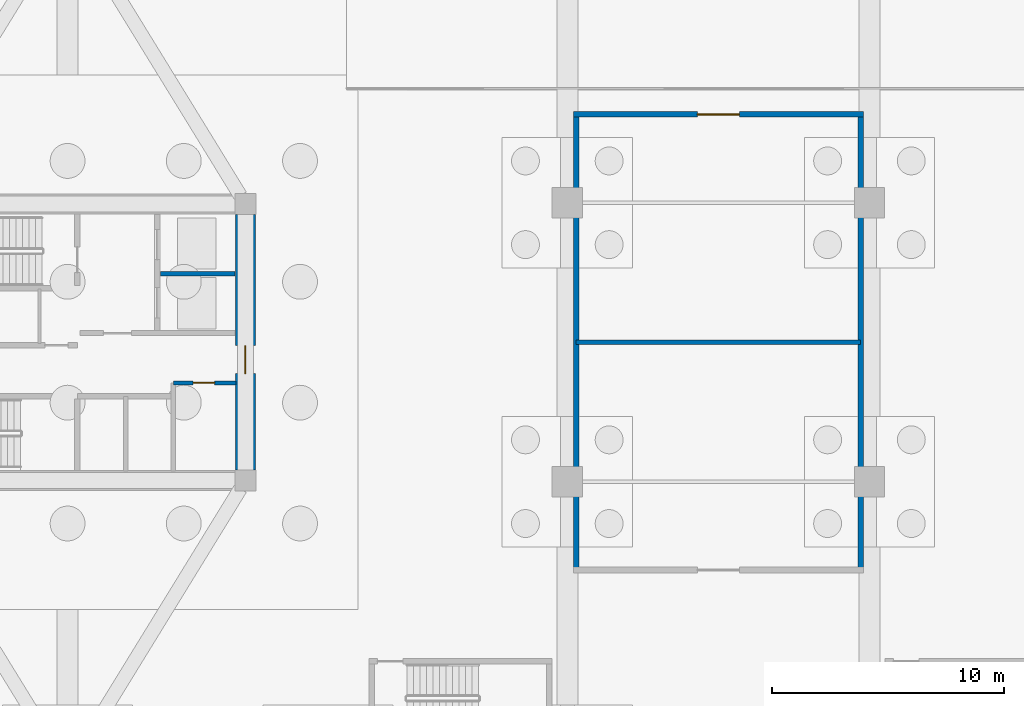
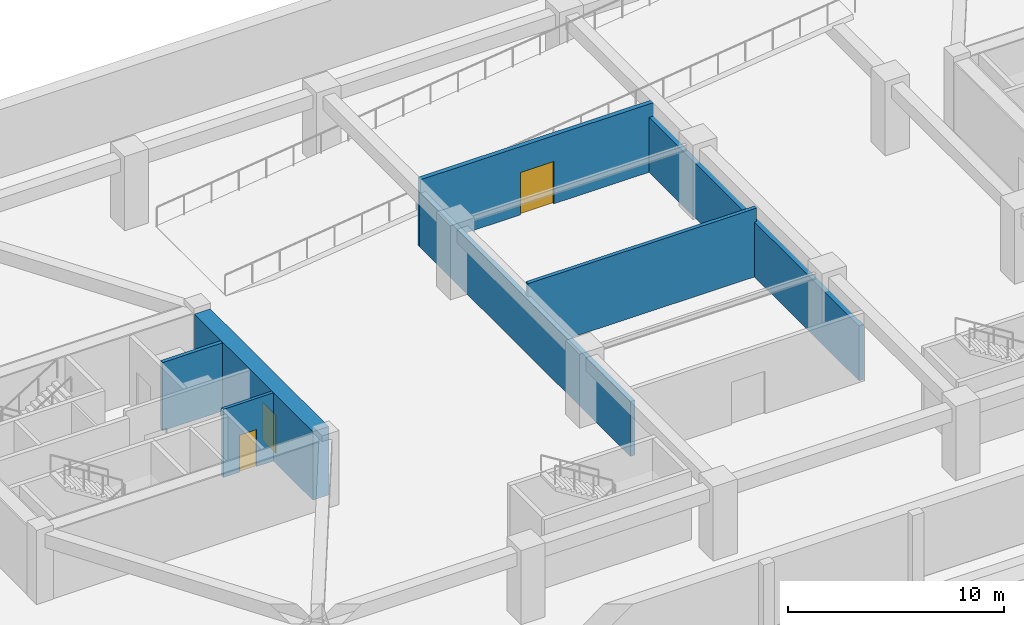
# One storey, part 6 of 14: 7 walls, 3 doors, 3 openings.
"""IFC4 building model written with IfcOpenShell, lengths in metres."""

from ifc_helpers import new_model, si_unit, direction, frame, frame_2d, origin, place, context, subcontext, project, spatial, rectangle, extrude, source, transform, mapped, material, layer, layer_set, type_object, type_shapes, element, fill, save


model = new_model("IFC4")

# Units and contexts
model_context = context("Model", 3, precision=1e-05, world=origin(), true_north=direction((0.0, 1.0)))
body_context = subcontext(model_context, "Body", "Model", "MODEL_VIEW")
ifc_project = project(units=[si_unit("LENGTHUNIT", "METRE"), si_unit("AREAUNIT", "SQUARE_METRE"), si_unit("VOLUMEUNIT", "CUBIC_METRE"), si_unit("PLANEANGLEUNIT", "RADIAN"), si_unit("MASSUNIT", "GRAM", prefix="KILO")], contexts=[model_context])

# Site, building, storey
site_placement = place(None, origin())
site = spatial("IfcSite", under=ifc_project, at=site_placement, CompositionType="ELEMENT")
building_placement = place(site_placement, origin())
building = spatial("IfcBuilding", under=site, at=building_placement, Name="Norrkilde Senior Care Towers", CompositionType="ELEMENT")
storey_placement = place(building_placement, frame((0.0, 0.0, -8.39990234375)))
storey = spatial("IfcBuildingStorey", under=building, at=storey_placement, Name="B2", CompositionType="ELEMENT", Elevation=-8.39990234375)

# Wall, opening, door
ifc_material_1 = material(Name="Concrete C60/75", Category="concrete")
ifc_layer_1 = layer(ifc_material_1, 0.85009765625)
ifc_layer_set_1 = layer_set([ifc_layer_1], Name="Concrete C60/75")
wall_type_1 = type_object("IfcWallType", Name="Core Shear Wall Z1 850", PredefinedType="SHEAR", material=ifc_layer_set_1)
shared_shape_1 = source(origin(), body_context, "Body", "SweptSolid", [
    extrude(rectangle(XDim=11.0, YDim=0.85009765625, at=frame_2d((5.5, 0.0))), origin(), (0.0, 0.0, 1.0), 3.8798828125),
])
type_shapes(wall_type_1, [shared_shape_1])
wall_1_placement = place(storey_placement, frame((-20.35009765625, 5.5, 0.0), z_axis=(0.0, 0.0, 1.0), x_axis=(0.0, -1.0, 0.0)))
wall_1 = element("IfcWall", 1, at=wall_1_placement, inside=storey, type_object=wall_type_1, Name="B2 Core W East Shear Wall", PredefinedType="SHEAR", context=body_context, shape_type="MappedRepresentation", body=[
    mapped(shared_shape_1, transform((0.0, 0.0, 0.0), x_axis=(1.0, 0.0, 0.0), y_axis=(0.0, 1.0, 0.0), z_axis=(0.0, 0.0, 1.0), scale=1.0)),
])
opening_1_placement = place(wall_1_placement, frame((5.64990234375, 0.0, 0.0)))
opening_1 = element("IfcOpeningElement", 2, at=opening_1_placement, cuts=wall_1, Name="Opening D-04", PredefinedType="OPENING", context=body_context, shape_type="SweptSolid", body=[
    extrude(rectangle(XDim=1.199951171875, YDim=2.14990234375, at=frame_2d((0.60009765625, 1.074951171875))), frame((0.0, 0.43505859375, 0.0), z_axis=(0.0, -1.0, 0.0), x_axis=(1.0, 0.0, 0.0)), (0.0, 0.0, 1.0), 0.8701171875),
])
ifc_material_2 = material(Name="Galvanised Painted Steel", Category="steel")
door_type_1 = type_object("IfcDoorType", Name="Firefighting Lobby Fire Door 1200x2150", OperationType="NOTDEFINED", PredefinedType="DOOR", material=ifc_material_2)
shared_shape_2 = source(origin(), body_context, "Body", "SweptSolid", [
    extrude(rectangle(XDim=1.199951171875, YDim=2.14990234375, at=frame_2d((0.60009765625, 1.074951171875))), frame((0.0, 0.02490234375, 0.0), z_axis=(0.0, -1.0, 0.0), x_axis=(1.0, 0.0, 0.0)), (0.0, 0.0, 1.0), 0.050048828125),
])
type_shapes(door_type_1, [shared_shape_2])
door_1_placement = place(opening_1_placement, frame((1.199951171875, 0.0, 0.0), z_axis=(0.0, 0.0, 1.0), x_axis=(-1.0, 0.0, 0.0)))
door_1 = element("IfcDoor", 3, at=door_1_placement, inside=storey, type_object=door_type_1, Name="B2 Core W East Portal Door", OperationType="SINGLE_SWING_RIGHT", OverallHeight=2.14990234375, OverallWidth=1.199951171875, PredefinedType="DOOR", context=body_context, shape_type="MappedRepresentation", body=[
    mapped(shared_shape_2, transform((0.0, 0.0, 0.0), x_axis=(1.0, 0.0, 0.0), y_axis=(0.0, 1.0, 0.0), z_axis=(0.0, 0.0, 1.0), scale=1.0)),
])
fill(opening_1, door_1)

# Wall
ifc_material_3 = material(Name="Concrete C45/55", Category="concrete")
ifc_layer_2 = layer(ifc_material_3, 0.199951171875)
ifc_layer_set_2 = layer_set([ifc_layer_2], Name="Concrete C45/55")
wall_type_2 = type_object("IfcWallType", Name="Shaft Division and Plant Partition 200", PredefinedType="PARTITIONING", material=ifc_layer_set_2)
shared_shape_3 = source(origin(), body_context, "Body", "SweptSolid", [
    extrude(rectangle(XDim=3.199951171875, YDim=0.199951171875, at=frame_2d((1.60009765625, 0.0))), origin(), (0.0, 0.0, 1.0), 3.864990234375),
])
wall_2_placement = place(storey_placement, frame((-24.0, 2.949951171875, 0.0), z_axis=(0.0, 0.0, 1.0), x_axis=(1.0, 0.0, 0.0)))
element("IfcWall", 4, at=wall_2_placement, inside=storey, type_object=wall_type_2, Name="WL-INT-B2-W-FFLDIV", PredefinedType="PARTITIONING", context=body_context, shape_type="MappedRepresentation", body=[
    mapped(shared_shape_3, transform((0.0, 0.0, 0.0), x_axis=(1.0, 0.0, 0.0), y_axis=(0.0, 1.0, 0.0), z_axis=(0.0, 0.0, 1.0), scale=1.0)),
])

# Wall, opening, door
ifc_material_4 = material(Name="Gypsum Acoustic Board")
ifc_layer_3 = layer(ifc_material_4, 0.1650390625)
ifc_layer_set_3 = layer_set([ifc_layer_3], Name="Gypsum Acoustic Board")
wall_type_3 = type_object("IfcWallType", Name="Corridor Rated Partition 165", PredefinedType="PARTITIONING", material=ifc_layer_set_3)
shared_shape_4 = source(origin(), body_context, "Body", "SweptSolid", [
    extrude(rectangle(XDim=2.699951171875, YDim=0.1650390625, at=frame_2d((1.35009765625, 0.0))), origin(), (0.0, 0.0, 1.0), 3.864990234375),
])
type_shapes(wall_type_3, [shared_shape_4])
wall_3_placement = place(storey_placement, frame((-23.449951171875, -1.75, 0.0), z_axis=(0.0, 0.0, 1.0), x_axis=(1.0, 0.0, 0.0)))
wall_3 = element("IfcWall", 5, at=wall_3_placement, inside=storey, type_object=wall_type_3, Name="WL-INT-B2-W-CSN", PredefinedType="PARTITIONING", context=body_context, shape_type="MappedRepresentation", body=[
    mapped(shared_shape_4, transform((0.0, 0.0, 0.0), x_axis=(1.0, 0.0, 0.0), y_axis=(0.0, 1.0, 0.0), z_axis=(0.0, 0.0, 1.0), scale=1.0)),
])
opening_2_placement = place(wall_3_placement, frame((0.85009765625, 0.0, 0.0)))
opening_2 = element("IfcOpeningElement", 6, at=opening_2_placement, cuts=wall_3, Name="Opening D-12", PredefinedType="OPENING", context=body_context, shape_type="SweptSolid", body=[
    extrude(rectangle(XDim=0.925048828125, YDim=2.10009765625, at=frame_2d((0.46240234375, 1.050048828125))), frame((0.0, 0.092529296875, 0.0), z_axis=(0.0, -1.0, 0.0), x_axis=(1.0, 0.0, 0.0)), (0.0, 0.0, 1.0), 0.18505859375),
])
door_type_2 = type_object("IfcDoorType", Name="Core Wet Room Rated Door 925x2100", OperationType="NOTDEFINED", PredefinedType="DOOR", material=ifc_material_2)
shared_shape_5 = source(origin(), body_context, "Body", "SweptSolid", [
    extrude(rectangle(XDim=0.925048828125, YDim=2.10009765625, at=frame_2d((0.46240234375, 1.050048828125))), frame((0.0, 0.02490234375, 0.0), z_axis=(0.0, -1.0, 0.0), x_axis=(1.0, 0.0, 0.0)), (0.0, 0.0, 1.0), 0.050048828125),
])
type_shapes(door_type_2, [shared_shape_5])
door_2_placement = place(opening_2_placement, origin())
door_2 = element("IfcDoor", 7, at=door_2_placement, inside=storey, type_object=door_type_2, Name="B2 Core Utility W Door", OperationType="SINGLE_SWING_LEFT", OverallHeight=2.10009765625, OverallWidth=0.925048828125, PredefinedType="DOOR", context=body_context, shape_type="MappedRepresentation", body=[
    mapped(shared_shape_5, transform((0.0, 0.0, 0.0), x_axis=(1.0, 0.0, 0.0), y_axis=(0.0, 1.0, 0.0), z_axis=(0.0, 0.0, 1.0), scale=1.0)),
])
fill(opening_2, door_2)

# Walls
ifc_layer_4 = layer(ifc_material_3, 0.239990234375)
ifc_layer_set_4 = layer_set([ifc_layer_4], Name="Concrete C45/55")
wall_type_4 = type_object("IfcWallType", Name="Lift and Plant Rated Enclosure Partition 240", PredefinedType="PARTITIONING", material=ifc_layer_set_4)
shared_shape_6 = source(origin(), body_context, "Body", "SweptSolid", [
    extrude(rectangle(XDim=19.60009765625, YDim=0.239990234375, at=frame_2d((9.800048828125, 0.0))), origin(), (0.0, 0.0, 1.0), 3.114990234375),
])
for number, where, z_axis, x_axis, name in (
    (8, (-6.1201171875, -9.800048828125, 0.0), (0.0, 0.0, 1.0), (0.0, 1.0, 0.0), "WL-INT-B2-CPW"),
    (9, (6.1201171875, -9.800048828125, 0.0), (0.0, 0.0, 1.0), (0.0, 1.0, 0.0), "WL-INT-B2-CPE"),
):
    element("IfcWall", number, at=place(storey_placement, frame(where, z_axis=z_axis, x_axis=x_axis)), inside=storey, type_object=wall_type_4, Name=name, PredefinedType="PARTITIONING", context=body_context, shape_type="MappedRepresentation", body=[
        mapped(shared_shape_6, transform((0.0, 0.0, 0.0), x_axis=(1.0, 0.0, 0.0), y_axis=(0.0, 1.0, 0.0), z_axis=(0.0, 0.0, 1.0), scale=1.0)),
    ])

# Wall, opening, door
shared_shape_7 = source(origin(), body_context, "Body", "SweptSolid", [
    extrude(rectangle(XDim=12.47998046875, YDim=0.239990234375, at=frame_2d((6.239990234375, 0.0))), origin(), (0.0, 0.0, 1.0), 3.864990234375),
])
type_shapes(wall_type_4, [shared_shape_6, shared_shape_7])
wall_4_placement = place(storey_placement, frame((-6.239990234375, 9.800048828125, 0.0), z_axis=(0.0, 0.0, 1.0), x_axis=(1.0, 0.0, 0.0)))
wall_4 = element("IfcWall", 10, at=wall_4_placement, inside=storey, type_object=wall_type_4, Name="WL-INT-B2-CPN", PredefinedType="PARTITIONING", context=body_context, shape_type="MappedRepresentation", body=[
    mapped(shared_shape_7, transform((0.0, 0.0, 0.0), x_axis=(1.0, 0.0, 0.0), y_axis=(0.0, 1.0, 0.0), z_axis=(0.0, 0.0, 1.0), scale=1.0)),
])
opening_3_placement = place(wall_4_placement, frame((5.340087890625, 0.0, 0.0)))
opening_3 = element("IfcOpeningElement", 11, at=opening_3_placement, cuts=wall_4, Name="Opening D-11", PredefinedType="OPENING", context=body_context, shape_type="SweptSolid", body=[
    extrude(rectangle(XDim=1.800048828125, YDim=2.39990234375, at=frame_2d((0.89990234375, 1.199951171875))), frame((0.0, 0.1298828125, 0.0), z_axis=(0.0, -1.0, 0.0), x_axis=(1.0, 0.0, 0.0)), (0.0, 0.0, 1.0), 0.260009765625),
])
door_type_3 = type_object("IfcDoorType", Name="Double Plant Equipment Door 1800x2400", OperationType="NOTDEFINED", PredefinedType="DOOR", material=ifc_material_2)
shared_shape_8 = source(origin(), body_context, "Body", "SweptSolid", [
    extrude(rectangle(XDim=1.800048828125, YDim=2.39990234375, at=frame_2d((0.89990234375, 1.199951171875))), frame((0.0, 0.02490234375, 0.0), z_axis=(0.0, -1.0, 0.0), x_axis=(1.0, 0.0, 0.0)), (0.0, 0.0, 1.0), 0.050048828125),
])
type_shapes(door_type_3, [shared_shape_8])
door_3_placement = place(opening_3_placement, frame((1.800048828125, 0.0, 0.0), z_axis=(0.0, 0.0, 1.0), x_axis=(-1.0, 0.0, 0.0)))
door_3 = element("IfcDoor", 12, at=door_3_placement, inside=storey, type_object=door_type_3, Name="B2 Plant Room 2 Door", OperationType="DOUBLE_DOOR_SINGLE_SWING", OverallHeight=2.39990234375, OverallWidth=1.800048828125, PredefinedType="DOOR", context=body_context, shape_type="MappedRepresentation", body=[
    mapped(shared_shape_8, transform((0.0, 0.0, 0.0), x_axis=(1.0, 0.0, 0.0), y_axis=(0.0, 1.0, 0.0), z_axis=(0.0, 0.0, 1.0), scale=1.0)),
])
fill(opening_3, door_3)

# Wall
shared_shape_9 = source(origin(), body_context, "Body", "SweptSolid", [
    extrude(rectangle(XDim=12.240234375, YDim=0.199951171875, at=frame_2d((6.1201171875, 0.0))), origin(), (0.0, 0.0, 1.0), 3.864990234375),
])
type_shapes(wall_type_2, [shared_shape_3, shared_shape_9])
wall_5_placement = place(storey_placement, frame((-6.1201171875, 0.0, 0.0), z_axis=(0.0, 0.0, 1.0), x_axis=(1.0, 0.0, 0.0)))
element("IfcWall", 13, at=wall_5_placement, inside=storey, type_object=wall_type_2, Name="WL-INT-B2-CPM", PredefinedType="PARTITIONING", context=body_context, shape_type="MappedRepresentation", body=[
    mapped(shared_shape_9, transform((0.0, 0.0, 0.0), x_axis=(1.0, 0.0, 0.0), y_axis=(0.0, 1.0, 0.0), z_axis=(0.0, 0.0, 1.0), scale=1.0)),
])

save(model, "model.ifc")
